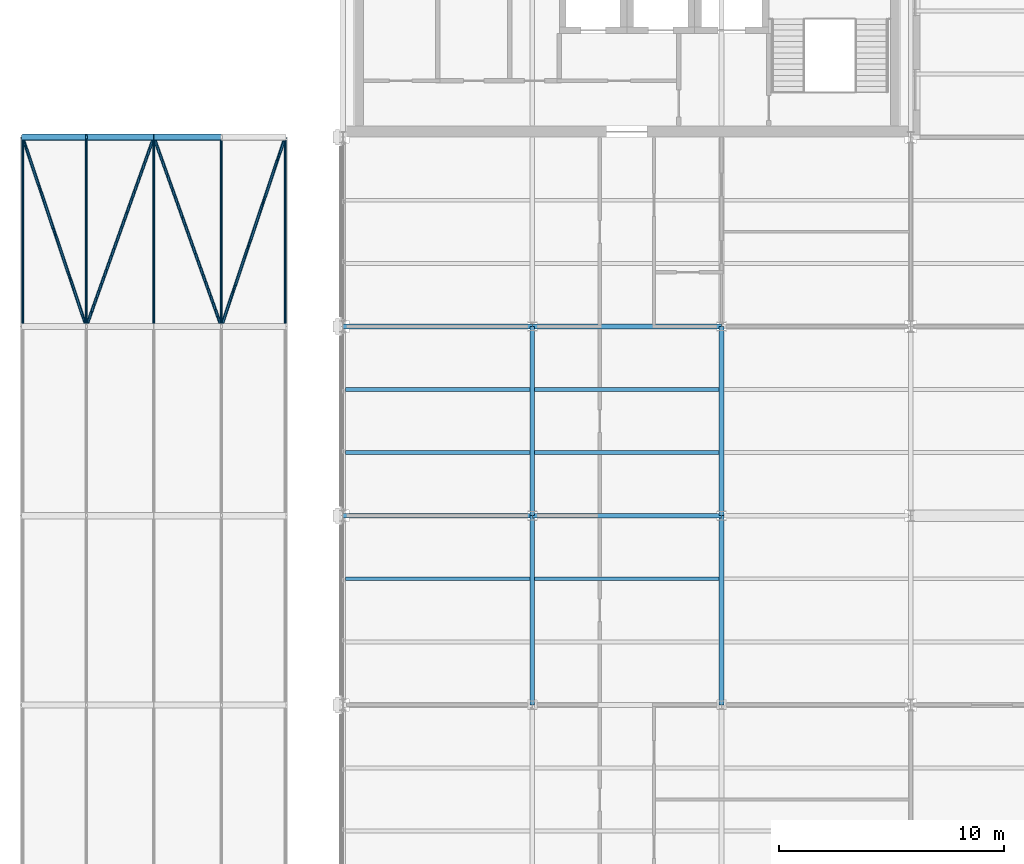
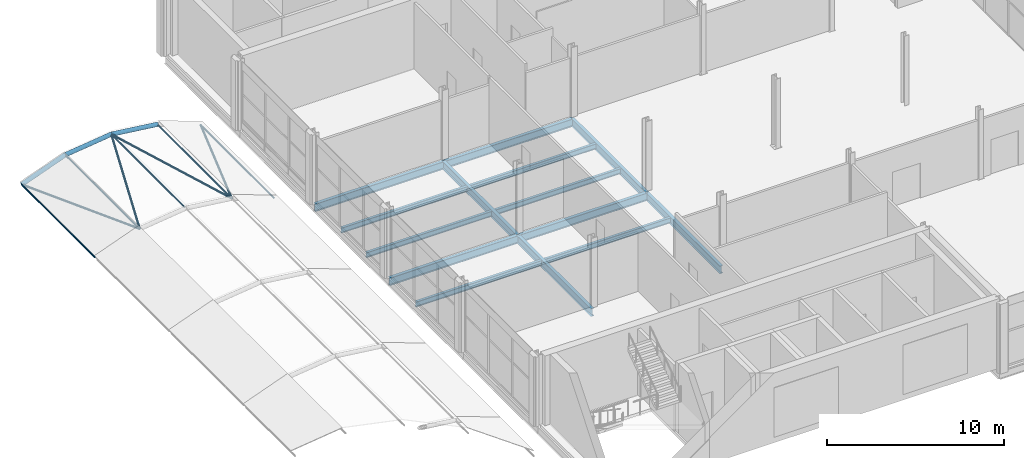
# One storey, part 125 of 167: 14 beams, 12 members.
"""IFC4 building model written with IfcOpenShell, lengths in metres."""

import ifcopenshell
import ifcopenshell.guid

model = None  # the IFC model being written
_history = None  # IfcOwnerHistory: only IFC2X3 demands one
_inside = {}  # id of a spatial element -> (the spatial element, [elements in it])
_under = {}  # id of a project, library or spatial element -> (it, [spatial elements below it])
_declared = {}  # id of a project -> (the project, [libraries it declares])
_typed = {}  # id of a type object -> (the type object, [elements of that type])
_made_of = {}  # id of a material, layer set ... -> (it, [elements and type objects made of it])


def new_model(schema):
    """Start an empty IFC model of exactly this schema.

    Asked for "IFC4X3", IfcOpenShell would pick the latest addendum, in which some entities
    have other attributes; the version numbers below select the first issue.
    IFC2X3 requires an IfcOwnerHistory on every rooted entity: one is made here for all.
    """
    global model, _history
    if schema == "IFC4X3":
        model = ifcopenshell.file(schema_version=(4, 3, 0, 0))
    else:
        model = ifcopenshell.file(schema=schema)
    _inside.clear()
    _under.clear()
    _declared.clear()
    _typed.clear()
    _made_of.clear()
    _history = None
    if model.schema == "IFC2X3":
        org = make("IfcOrganization", Name="unknown")
        user = make(
            "IfcPersonAndOrganization",
            ThePerson=make("IfcPerson", FamilyName="unknown"),
            TheOrganization=org,
        )
        app = make(
            "IfcApplication",
            ApplicationDeveloper=org,
            Version="unknown",
            ApplicationFullName="unknown",
            ApplicationIdentifier="unknown",
        )
        _history = make(
            "IfcOwnerHistory",
            OwningUser=user,
            OwningApplication=app,
            ChangeAction="ADDED",
            CreationDate=0,
        )
    return model


def make(cls, **values):
    """One entity of the class cls with the attributes given. An attribute that is None is left unset."""
    return model.create_entity(
        cls, **{name: value for name, value in values.items() if value is not None}
    )


def rooted(cls, **values):
    """An entity with a GlobalId (a new one), such as an element, a storey or a relation."""
    return make(cls, GlobalId=ifcopenshell.guid.new(), OwnerHistory=_history, **values)


def si_unit(unit_type, name, prefix=None):
    """IfcSIUnit, for example si_unit("LENGTHUNIT", "METRE", prefix="MILLI")."""
    return make("IfcSIUnit", UnitType=unit_type, Prefix=prefix, Name=name)


def assignment(units):
    """IfcUnitAssignment: the units of a project."""
    return None if units is None else make("IfcUnitAssignment", Units=units)


def point(xyz):
    """IfcCartesianPoint."""
    return None if xyz is None else make("IfcCartesianPoint", Coordinates=xyz)


def direction(xyz):
    """IfcDirection."""
    return None if xyz is None else make("IfcDirection", DirectionRatios=xyz)


def frame(location, z_axis=None, x_axis=None):
    """IfcAxis2Placement3D, a coordinate frame: its origin and axes. An axis left out is left unset."""
    return make(
        "IfcAxis2Placement3D",
        Location=point(location),
        Axis=direction(z_axis),
        RefDirection=direction(x_axis),
    )


def frame_2d(location, x_axis=None):
    """IfcAxis2Placement2D, a coordinate frame in the plane: its origin and x axis."""
    return make(
        "IfcAxis2Placement2D", Location=point(location), RefDirection=direction(x_axis)
    )


def origin():
    """The frame at (0, 0, 0) with its axes left unset."""
    return frame((0.0, 0.0, 0.0))


def origin_2d():
    """The frame at (0, 0) in the plane with its x axis left unset."""
    return frame_2d((0.0, 0.0))


def place(relative_to, where):
    """IfcLocalPlacement: puts the frame where relative to a parent placement (None: the world)."""
    return make(
        "IfcLocalPlacement", PlacementRelTo=relative_to, RelativePlacement=where
    )


def context(
    kind, dimensions, precision=None, world=None, true_north=None, identifier=None
):
    """IfcGeometricRepresentationContext, for example the 3D "Model" context."""
    return make(
        "IfcGeometricRepresentationContext",
        ContextIdentifier=identifier,
        ContextType=kind,
        CoordinateSpaceDimension=dimensions,
        Precision=precision,
        WorldCoordinateSystem=world,
        TrueNorth=true_north,
    )


def subcontext(parent, identifier, kind, view, scale=None):
    """IfcGeometricRepresentationSubContext, for example "Body" below "Model"."""
    return make(
        "IfcGeometricRepresentationSubContext",
        ContextIdentifier=identifier,
        ContextType=kind,
        ParentContext=parent,
        TargetScale=scale,
        TargetView=view,
    )


def project(units=None, contexts=None):
    """IfcProject with its units and contexts."""
    return rooted(
        "IfcProject",
        Name="project",
        RepresentationContexts=contexts,
        UnitsInContext=assignment(units),
    )


def spatial(cls, under=None, at=None, **own):
    """A site, building, storey or space (cls), placed at a placement, below another one or the project."""
    s = rooted(cls, ObjectPlacement=at, **own)
    if under is not None:
        _under.setdefault(under.id(), (under, []))[1].append(s)
    return s


def profile(cls, at=None, kind="AREA", **sizes):
    """A parametric profile (cls). Its sizes go by their IFC names, for example OverallWidth=200.0."""
    return make(cls, ProfileType=kind, Position=at, **sizes)


def hollow_circle(**sizes):
    """IfcCircleHollowProfileDef."""
    return profile("IfcCircleHollowProfileDef", **sizes)


def i_section(**sizes):
    """IfcIShapeProfileDef."""
    return profile("IfcIShapeProfileDef", **sizes)


def extrude(swept, where, along, depth):
    """IfcExtrudedAreaSolid: the profile swept, set in the frame where, extruded along a direction by depth."""
    return make(
        "IfcExtrudedAreaSolid",
        SweptArea=swept,
        Position=where,
        ExtrudedDirection=direction(along),
        Depth=depth,
    )


def shape(context_of_items, identifier, shape_type, items):
    """IfcShapeRepresentation: the items that make up one representation, for example the "Body"."""
    return make(
        "IfcShapeRepresentation",
        ContextOfItems=context_of_items,
        RepresentationIdentifier=identifier,
        RepresentationType=shape_type,
        Items=items,
    )


def material(Name=None, Category=None):
    """IfcMaterial."""
    return make("IfcMaterial", Name=Name, Category=Category)


def material_profile(
    of_material, cross_section, Name=None, Category=None, Priority=None
):
    """IfcMaterialProfile: a cross section and its material."""
    return make(
        "IfcMaterialProfile",
        Name=Name,
        Material=of_material,
        Profile=cross_section,
        Priority=Priority,
        Category=Category,
    )


def profile_set(profiles, Name=None, composite=None):
    """IfcMaterialProfileSet."""
    return make(
        "IfcMaterialProfileSet",
        Name=Name,
        MaterialProfiles=profiles,
        CompositeProfile=composite,
    )


def made_of(thing, what):
    """Note that an element or type object is made of a material, layer set ...; save() writes the relation."""
    if what is not None:
        _made_of.setdefault(what.id(), (what, []))[1].append(thing)
    return thing


def type_object(cls, material=None, **own):
    """A type object (cls), such as IfcWallType, which elements share."""
    return made_of(rooted(cls, **own), material)


def element(
    cls,
    number,
    at=None,
    inside=None,
    cuts=None,
    type_object=None,
    material=None,
    context=None,
    identifier="Body",
    shape_type=None,
    held_by="IfcProductDefinitionShape",
    body=None,
    shapes=None,
    **own,
):
    """One element of the class cls, such as IfcWall. Its Tag is "e" and its number.

    at: its placement. inside: the storey or other place that contains it. cuts: it is an
    opening in that element (IfcRelVoidsElement). A single representation is given by context,
    identifier, shape_type and body (its items); several are given by shapes. held_by: the class
    of the entity that holds the representations. save() writes the other relations.
    """
    e = rooted(cls, Tag="e%d" % number, ObjectPlacement=at, **own)
    if body is not None:
        shapes = [shape(context, identifier, shape_type, body)]
    if shapes is not None:
        e.Representation = make(held_by, Representations=shapes)
    if inside is not None:
        _inside.setdefault(inside.id(), (inside, []))[1].append(e)
    if cuts is not None:
        rooted(
            "IfcRelVoidsElement", RelatingBuildingElement=cuts, RelatedOpeningElement=e
        )
    if type_object is not None:
        _typed.setdefault(type_object.id(), (type_object, []))[1].append(e)
    return made_of(e, material)


def aggregate(whole, parts):
    """IfcRelAggregates: a whole, such as a stair, and the parts it consists of."""
    return rooted("IfcRelAggregates", RelatingObject=whole, RelatedObjects=parts)


def save(model, path):
    """Write the relations noted so far, then the file.

    IfcRelAggregates (storeys below a building ...), IfcRelContainedInSpatialStructure (elements
    in a storey), IfcRelDefinesByType, IfcRelAssociatesMaterial and IfcRelDeclares: one each for
    every whole, place, type object, material and project.
    """
    for whole, parts in _under.values():
        aggregate(whole, parts)
    for where, things in _inside.values():
        rooted(
            "IfcRelContainedInSpatialStructure",
            RelatedElements=things,
            RelatingStructure=where,
        )
    for kind, things in _typed.values():
        rooted("IfcRelDefinesByType", RelatedObjects=things, RelatingType=kind)
    for what, things in _made_of.values():
        rooted("IfcRelAssociatesMaterial", RelatedObjects=things, RelatingMaterial=what)
    for by, libraries in _declared.values():
        rooted("IfcRelDeclares", RelatingContext=by, RelatedDefinitions=libraries)
    model.write(path)


model = new_model("IFC4")

# Units and contexts
model_context = context("Model", 3, precision=1e-05, world=origin(), true_north=direction((0.0, 1.0)))
body_context = subcontext(model_context, "Body", "Model", "MODEL_VIEW")
ifc_project = project(units=[si_unit("LENGTHUNIT", "METRE"), si_unit("AREAUNIT", "SQUARE_METRE"), si_unit("VOLUMEUNIT", "CUBIC_METRE"), si_unit("PLANEANGLEUNIT", "RADIAN"), si_unit("MASSUNIT", "GRAM", prefix="KILO")], contexts=[model_context])

# Site, building, storey
site_placement = place(None, origin())
site = spatial("IfcSite", under=ifc_project, at=site_placement, CompositionType="ELEMENT")
building_placement = place(site_placement, origin())
building = spatial("IfcBuilding", under=site, at=building_placement, Name="Catenary Quay Ferry Terminal", CompositionType="ELEMENT")
storey_placement = place(building_placement, frame((0.0, 0.0, 6.0)))
storey = spatial("IfcBuildingStorey", under=building, at=storey_placement, Name="L01", CompositionType="ELEMENT", Elevation=6.0)

# Beams
ifc_material_1 = material(Name="Steel S355", Category="steel")
ifc_material_profile_1 = material_profile(ifc_material_1, i_section(OverallWidth=0.208740234375, OverallDepth=0.5283203125, WebThickness=0.009521484375, FlangeThickness=0.01318359375, at=origin_2d()), Name="UB 533x210x82")
ifc_profile_set_1 = profile_set([ifc_material_profile_1], Name="Steel S355")
beam_type_1 = type_object("IfcBeamType", Name="B5 UB 533x210x82", PredefinedType="BEAM", material=ifc_profile_set_1)
beam_1_placement = place(storey_placement, frame((25.199951171875, 184.800048828125, -0.464111328125), z_axis=(1.0, 0.0, 0.0), x_axis=(0.0, 1.0, 0.0)))
element("IfcBeam", 1, at=beam_1_placement, inside=storey, type_object=beam_type_1, Name="Beam B5-010", PredefinedType="BEAM", context=body_context, shape_type="SweptSolid", body=[
    extrude(i_section(OverallWidth=0.208740234375, OverallDepth=0.5283203125, WebThickness=0.009521484375, FlangeThickness=0.01318359375, at=origin_2d()), origin(), (0.0, 0.0, 1.0), 8.400146484375),
])
beam_2_placement = place(storey_placement, frame((33.60009765625, 184.800048828125, -0.464111328125), z_axis=(1.0, 0.0, 0.0), x_axis=(0.0, 1.0, 0.0)))
element("IfcBeam", 2, at=beam_2_placement, inside=storey, type_object=beam_type_1, Name="Beam B5-011", PredefinedType="BEAM", context=body_context, shape_type="SweptSolid", body=[
    extrude(i_section(OverallWidth=0.208740234375, OverallDepth=0.5283203125, WebThickness=0.009521484375, FlangeThickness=0.01318359375, at=origin_2d()), origin(), (0.0, 0.0, 1.0), 8.39990234375),
])
beam_3_placement = place(storey_placement, frame((25.199951171875, 193.199951171875, -0.464111328125), z_axis=(1.0, 0.0, 0.0), x_axis=(0.0, 1.0, 0.0)))
element("IfcBeam", 3, at=beam_3_placement, inside=storey, type_object=beam_type_1, Name="Beam B5-013", PredefinedType="BEAM", context=body_context, shape_type="SweptSolid", body=[
    extrude(i_section(OverallWidth=0.208740234375, OverallDepth=0.5283203125, WebThickness=0.009521484375, FlangeThickness=0.01318359375, at=origin_2d()), origin(), (0.0, 0.0, 1.0), 8.400146484375),
])
beam_4_placement = place(storey_placement, frame((33.60009765625, 193.199951171875, -0.464111328125), z_axis=(1.0, 0.0, 0.0), x_axis=(0.0, 1.0, 0.0)))
element("IfcBeam", 4, at=beam_4_placement, inside=storey, type_object=beam_type_1, Name="Beam B5-014", PredefinedType="BEAM", context=body_context, shape_type="SweptSolid", body=[
    extrude(i_section(OverallWidth=0.208740234375, OverallDepth=0.5283203125, WebThickness=0.009521484375, FlangeThickness=0.01318359375, at=origin_2d()), origin(), (0.0, 0.0, 1.0), 8.39990234375),
])
beam_5_placement = place(storey_placement, frame((33.60009765625, 176.39990234375, -0.464111328125), z_axis=(0.0, 1.0, 0.0), x_axis=(-1.0, 0.0, 0.0)))
element("IfcBeam", 5, at=beam_5_placement, inside=storey, type_object=beam_type_1, Name="Beam B5-029", PredefinedType="BEAM", context=body_context, shape_type="SweptSolid", body=[
    extrude(i_section(OverallWidth=0.208740234375, OverallDepth=0.5283203125, WebThickness=0.009521484375, FlangeThickness=0.01318359375, at=origin_2d()), origin(), (0.0, 0.0, 1.0), 8.400146484375),
])
beam_6_placement = place(storey_placement, frame((33.60009765625, 184.800048828125, -0.464111328125), z_axis=(0.0, 1.0, 0.0), x_axis=(-1.0, 0.0, 0.0)))
element("IfcBeam", 6, at=beam_6_placement, inside=storey, type_object=beam_type_1, Name="Beam B5-030", PredefinedType="BEAM", context=body_context, shape_type="SweptSolid", body=[
    extrude(i_section(OverallWidth=0.208740234375, OverallDepth=0.5283203125, WebThickness=0.009521484375, FlangeThickness=0.01318359375, at=origin_2d()), origin(), (0.0, 0.0, 1.0), 8.39990234375),
])
beam_7_placement = place(storey_placement, frame((42.0, 176.39990234375, -0.464111328125), z_axis=(0.0, 1.0, 0.0), x_axis=(-1.0, 0.0, 0.0)))
element("IfcBeam", 7, at=beam_7_placement, inside=storey, type_object=beam_type_1, Name="Beam B5-034", PredefinedType="BEAM", context=body_context, shape_type="SweptSolid", body=[
    extrude(i_section(OverallWidth=0.208740234375, OverallDepth=0.5283203125, WebThickness=0.009521484375, FlangeThickness=0.01318359375, at=origin_2d()), origin(), (0.0, 0.0, 1.0), 8.400146484375),
])
beam_8_placement = place(storey_placement, frame((42.0, 184.800048828125, -0.464111328125), z_axis=(0.0, 1.0, 0.0), x_axis=(-1.0, 0.0, 0.0)))
element("IfcBeam", 8, at=beam_8_placement, inside=storey, type_object=beam_type_1, Name="Beam B5-035", PredefinedType="BEAM", context=body_context, shape_type="SweptSolid", body=[
    extrude(i_section(OverallWidth=0.208740234375, OverallDepth=0.5283203125, WebThickness=0.009521484375, FlangeThickness=0.01318359375, at=origin_2d()), origin(), (0.0, 0.0, 1.0), 8.39990234375),
])
ifc_material_2 = material(Name="Steel S355", Category="steel")
ifc_material_profile_2 = material_profile(ifc_material_2, i_section(OverallWidth=0.169921875, OverallDepth=0.360107421875, WebThickness=0.008056640625, FlangeThickness=0.0126953125, at=origin_2d()), Name="IPE 360")
ifc_profile_set_2 = profile_set([ifc_material_profile_2], Name="Steel S355")
beam_type_2 = type_object("IfcBeamType", Name="B7 IPE 360", PredefinedType="BEAM", material=ifc_profile_set_2)
beam_9_placement = place(storey_placement, frame((25.303955078125, 182.0, -0.3798828125), z_axis=(1.0, 0.0, 0.0), x_axis=(0.0, 1.0, 0.0)))
element("IfcBeam", 9, at=beam_9_placement, inside=storey, type_object=beam_type_2, Name="Beam B7-044", PredefinedType="BEAM", context=body_context, shape_type="SweptSolid", body=[
    extrude(i_section(OverallWidth=0.169921875, OverallDepth=0.360107421875, WebThickness=0.008056640625, FlangeThickness=0.0126953125, at=origin_2d()), origin(), (0.0, 0.0, 1.0), 8.192138671875),
])
beam_10_placement = place(storey_placement, frame((33.7041015625, 182.0, -0.3798828125), z_axis=(1.0, 0.0, 0.0), x_axis=(0.0, 1.0, 0.0)))
element("IfcBeam", 10, at=beam_10_placement, inside=storey, type_object=beam_type_2, Name="Beam B7-045", PredefinedType="BEAM", context=body_context, shape_type="SweptSolid", body=[
    extrude(i_section(OverallWidth=0.169921875, OverallDepth=0.360107421875, WebThickness=0.008056640625, FlangeThickness=0.0126953125, at=origin_2d()), origin(), (0.0, 0.0, 1.0), 8.19189453125),
])
beam_11_placement = place(storey_placement, frame((25.303955078125, 187.60009765625, -0.3798828125), z_axis=(1.0, 0.0, 0.0), x_axis=(0.0, 1.0, 0.0)))
element("IfcBeam", 11, at=beam_11_placement, inside=storey, type_object=beam_type_2, Name="Beam B7-049", PredefinedType="BEAM", context=body_context, shape_type="SweptSolid", body=[
    extrude(i_section(OverallWidth=0.169921875, OverallDepth=0.360107421875, WebThickness=0.008056640625, FlangeThickness=0.0126953125, at=origin_2d()), origin(), (0.0, 0.0, 1.0), 8.192138671875),
])
beam_12_placement = place(storey_placement, frame((33.7041015625, 187.60009765625, -0.3798828125), z_axis=(1.0, 0.0, 0.0), x_axis=(0.0, 1.0, 0.0)))
element("IfcBeam", 12, at=beam_12_placement, inside=storey, type_object=beam_type_2, Name="Beam B7-050", PredefinedType="BEAM", context=body_context, shape_type="SweptSolid", body=[
    extrude(i_section(OverallWidth=0.169921875, OverallDepth=0.360107421875, WebThickness=0.008056640625, FlangeThickness=0.0126953125, at=origin_2d()), origin(), (0.0, 0.0, 1.0), 8.19189453125),
])
beam_13_placement = place(storey_placement, frame((25.303955078125, 190.39990234375, -0.3798828125), z_axis=(1.0, 0.0, 0.0), x_axis=(0.0, 1.0, 0.0)))
element("IfcBeam", 13, at=beam_13_placement, inside=storey, type_object=beam_type_2, Name="Beam B7-054", PredefinedType="BEAM", context=body_context, shape_type="SweptSolid", body=[
    extrude(i_section(OverallWidth=0.169921875, OverallDepth=0.360107421875, WebThickness=0.008056640625, FlangeThickness=0.0126953125, at=origin_2d()), origin(), (0.0, 0.0, 1.0), 8.192138671875),
])
beam_14_placement = place(storey_placement, frame((33.7041015625, 190.39990234375, -0.3798828125), z_axis=(1.0, 0.0, 0.0), x_axis=(0.0, 1.0, 0.0)))
element("IfcBeam", 14, at=beam_14_placement, inside=storey, type_object=beam_type_2, Name="Beam B7-055", PredefinedType="BEAM", context=body_context, shape_type="SweptSolid", body=[
    extrude(i_section(OverallWidth=0.169921875, OverallDepth=0.360107421875, WebThickness=0.008056640625, FlangeThickness=0.0126953125, at=origin_2d()), origin(), (0.0, 0.0, 1.0), 8.19189453125),
])

# Members
ifc_material_3 = material(Name="Steel S355", Category="steel")
ifc_material_profile_3 = material_profile(ifc_material_3, hollow_circle(Radius=0.06982421875, WallThickness=0.008056640625, at=origin_2d()), Name="CHS 139.7x8")
ifc_profile_set_3 = profile_set([ifc_material_profile_3], Name="Steel S355")
member_type_1 = type_object("IfcMemberType", Name="BR1 CHS 139.7x8", PredefinedType="BRACE", material=ifc_profile_set_3)
member_1_placement = place(storey_placement, frame((10.970947265625, 201.60009765625, 0.98388671875), z_axis=(0.317267239947, -0.941052924557, 0.117306826908), x_axis=(0.947595388792, 0.319472970907, 0.0)))
element("IfcMember", 15, at=member_1_placement, inside=storey, type_object=member_type_1, Name="Roof brace BR-FC-16-02", PredefinedType="BRACE", context=body_context, shape_type="SweptSolid", body=[
    extrude(hollow_circle(Radius=0.06982421875, WallThickness=0.008056640625, at=origin_2d()), origin(), (0.0, 0.0, 1.0), 8.92626953125),
])
for number, where, z_axis, x_axis, name in (
    (16, (13.802978515625, 193.199951171875, 2.031005859375), (0.33575277374, 0.9410431481, 0.041326363728), (-0.941847767785, 0.336039852278, 0.0), "Roof brace BR-FC-16-03"),
    (17, (16.800048828125, 201.60009765625, 2.39990234375), (0.33575277374, -0.9410431481, -0.041326363728), (0.941847767785, 0.336039852278, 0.0), "Roof brace BR-FC-16-04"),
):
    element("IfcMember", number, at=place(storey_placement, frame(where, z_axis=z_axis, x_axis=x_axis)), inside=storey, type_object=member_type_1, Name=name, PredefinedType="BRACE", context=body_context, shape_type="SweptSolid", body=[
        extrude(hollow_circle(Radius=0.06982421875, WallThickness=0.008056640625, at=origin_2d()), origin(), (0.0, 0.0, 1.0), 8.926513671875),
    ])
member_2_placement = place(storey_placement, frame((19.797119140625, 193.199951171875, 2.031005859375), z_axis=(0.317242642076, 0.941061090258, -0.117307844802), x_axis=(-0.947603725992, 0.3194482407, 0.0)))
element("IfcMember", 18, at=member_2_placement, inside=storey, type_object=member_type_1, Name="Roof brace BR-FC-16-05", PredefinedType="BRACE", context=body_context, shape_type="SweptSolid", body=[
    extrude(hollow_circle(Radius=0.06982421875, WallThickness=0.008056640625, at=origin_2d()), origin(), (0.0, 0.0, 1.0), 8.92626953125),
])
ifc_material_4 = material(Name="Steel S355", Category="steel")
ifc_material_profile_4 = material_profile(ifc_material_4, hollow_circle(Radius=0.05712890625, WallThickness=0.00634765625, at=origin_2d()), Name="CHS 114.3x6.3")
ifc_profile_set_4 = profile_set([ifc_material_profile_4], Name="Steel S355")
member_type_2 = type_object("IfcMemberType", Name="PU2 CHS 114.3x6.3", PredefinedType="PURLIN", material=ifc_profile_set_4)
for number, where, z_axis, x_axis, name in (
    (19, (10.970947265625, 193.330078125, 0.98388671875), (0.0, 1.0, 0.0), (-1.0, 0.0, 0.0), "Purlin PU-FC-16-01"),
    (20, (13.802978515625, 193.330078125, 2.031005859375), (0.0, 1.0, 0.0), (-1.0, 0.0, 0.0), "Purlin PU-FC-16-02"),
    (21, (16.800048828125, 193.330078125, 2.39990234375), (0.0, 1.0, 0.0), (-1.0, 0.0, 0.0), "Purlin PU-FC-16-03"),
    (22, (19.797119140625, 193.330078125, 2.031005859375), (0.0, 1.0, 0.0), (-1.0, 0.0, 0.0), "Purlin PU-FC-16-04"),
    (23, (22.62890625, 193.330078125, 0.98388671875), (0.0, 1.0, 0.0), (-1.0, 0.0, 0.0), "Purlin PU-FC-16-05"),
):
    element("IfcMember", number, at=place(storey_placement, frame(where, z_axis=z_axis, x_axis=x_axis)), inside=storey, type_object=member_type_2, Name=name, PredefinedType="PURLIN", context=body_context, shape_type="SweptSolid", body=[
        extrude(hollow_circle(Radius=0.05712890625, WallThickness=0.00634765625, at=origin_2d()), origin(), (0.0, 0.0, 1.0), 8.139892578125),
    ])
ifc_material_5 = material(Name="Steel S355", Category="steel")
ifc_material_profile_5 = material_profile(ifc_material_5, hollow_circle(Radius=0.136474609375, WallThickness=0.012451171875, at=origin_2d()), Name="CHS 273x12.5")
ifc_profile_set_5 = profile_set([ifc_material_profile_5], Name="Steel S355")
member_type_3 = type_object("IfcMemberType", Name="VR2 CHS 273x12.5", PredefinedType="RAFTER", material=ifc_profile_set_5)
member_3_placement = place(storey_placement, frame((10.970947265625, 201.60009765625, 0.98388671875), z_axis=(0.937940762231, 0.0, 0.346795511139), x_axis=(0.0, 1.0, 0.0)))
element("IfcMember", 24, at=member_3_placement, inside=storey, type_object=member_type_3, Name="rib FC-17-02", PredefinedType="RAFTER", context=body_context, shape_type="SweptSolid", body=[
    extrude(hollow_circle(Radius=0.136474609375, WallThickness=0.012451171875, at=origin_2d()), origin(), (0.0, 0.0, 1.0), 3.01953125),
])
for number, where, z_axis, x_axis, name in (
    (25, (13.802978515625, 201.60009765625, 2.031005859375), (0.992509955251, 0.0, 0.122163778298), (0.0, 1.0, 0.0), "rib FC-17-03"),
    (26, (16.800048828125, 201.60009765625, 2.39990234375), (0.992509955251, 0.0, -0.122163778298), (0.0, 1.0, 0.0), "rib FC-17-04"),
):
    element("IfcMember", number, at=place(storey_placement, frame(where, z_axis=z_axis, x_axis=x_axis)), inside=storey, type_object=member_type_3, Name=name, PredefinedType="RAFTER", context=body_context, shape_type="SweptSolid", body=[
        extrude(hollow_circle(Radius=0.136474609375, WallThickness=0.012451171875, at=origin_2d()), origin(), (0.0, 0.0, 1.0), 3.019775390625),
    ])

save(model, "model.ifc")
